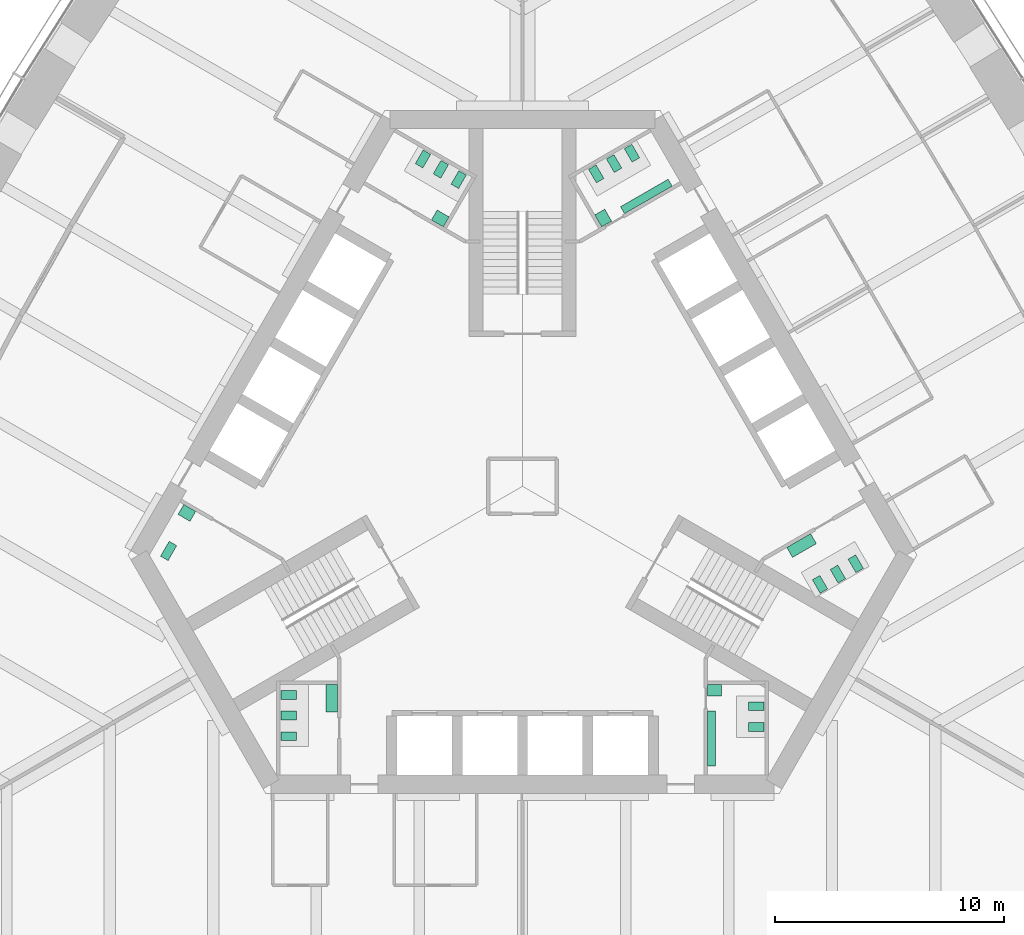
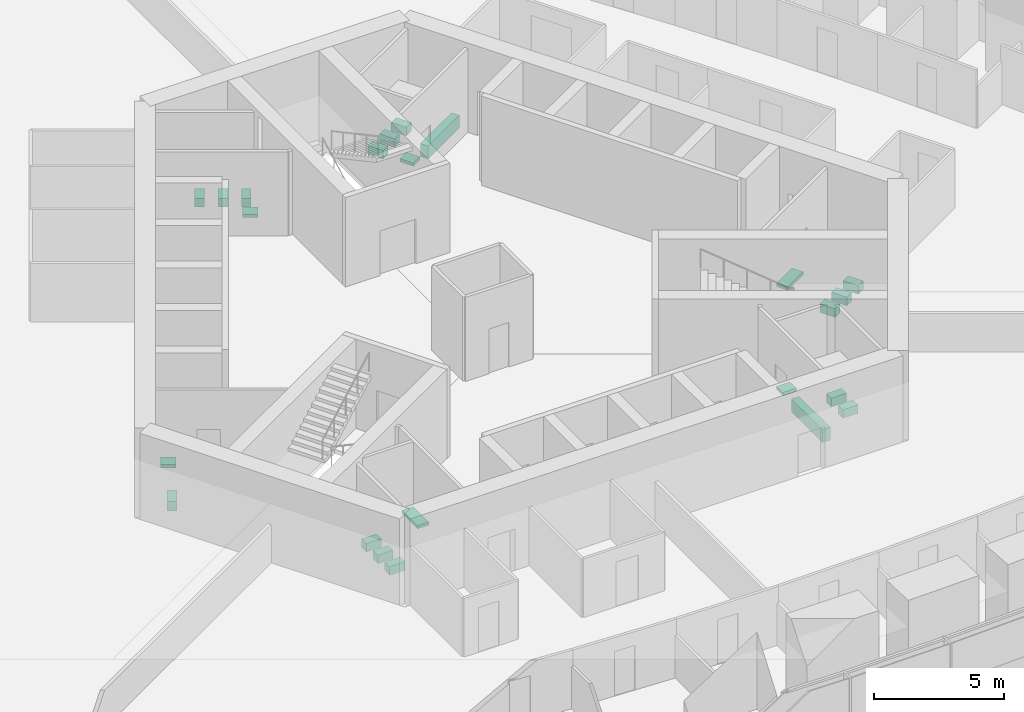
# One storey, part 17 of 18: 23 sanitary terminals.
"""IFC4 building model written with IfcOpenShell, lengths in metres."""

from ifc_helpers import new_model, si_unit, direction, frame, origin, place, context, subcontext, project, spatial, polyline, outline, extrude, material, type_object, element, save


model = new_model("IFC4")

# Units and contexts
model_context = context("Model", 3, precision=1e-05, world=origin(), true_north=direction((0.0, 1.0)))
body_context = subcontext(model_context, "Body", "Model", "MODEL_VIEW")
ifc_project = project(units=[si_unit("LENGTHUNIT", "METRE"), si_unit("AREAUNIT", "SQUARE_METRE"), si_unit("VOLUMEUNIT", "CUBIC_METRE"), si_unit("PLANEANGLEUNIT", "RADIAN"), si_unit("MASSUNIT", "GRAM", prefix="KILO")], contexts=[model_context])

# Site, building, storey
site_placement = place(None, origin())
site = spatial("IfcSite", under=ifc_project, at=site_placement, CompositionType="ELEMENT")
building_placement = place(site_placement, origin())
building = spatial("IfcBuilding", under=site, at=building_placement, Name="Trefoil Bronze Tower", CompositionType="ELEMENT")
storey_placement = place(building_placement, frame((0.0, 0.0, 87.89990234375)))
storey = spatial("IfcBuildingStorey", under=building, at=storey_placement, Name="L20", CompositionType="ELEMENT", Elevation=87.89990234375)

# Sanitary terminals
ifc_material_1 = material(Name="Vitreous china", Category="ceramic")
sanitary_terminal_type_1 = type_object("IfcSanitaryTerminalType", Name="Accessible WC pan", PredefinedType="TOILETPAN", material=ifc_material_1)
sanitary_terminal_1_placement = place(storey_placement, origin())
element("IfcSanitaryTerminal", 1, at=sanitary_terminal_1_placement, inside=storey, type_object=sanitary_terminal_type_1, Name="WC pan 1 Accessible WC L20", PredefinedType="TOILETPAN", context=body_context, shape_type="SweptSolid", body=[
    extrude(outline(polyline([(-15.085693359375, -2.589111328125), (-15.460693359375, -3.238525390625), (-15.789794921875, -3.048583984375), (-15.414794921875, -2.399169921875), (-15.085693359375, -2.589111328125)])), origin(), (0.0, 0.0, 1.0), 0.4501953125),
])
ifc_material_2 = material(Name="Vitreous china", Category="ceramic")
sanitary_terminal_type_2 = type_object("IfcSanitaryTerminalType", Name="Accessible basin", PredefinedType="WASHHANDBASIN", material=ifc_material_2)
sanitary_terminal_2_placement = place(storey_placement, frame((0.0, 0.0, 0.650146484375)))
element("IfcSanitaryTerminal", 2, at=sanitary_terminal_2_placement, inside=storey, type_object=sanitary_terminal_type_2, Name="Wash basin Accessible WC L20", PredefinedType="WASHHANDBASIN", context=body_context, shape_type="SweptSolid", body=[
    extrude(outline(polyline([(-14.256591796875, -1.09326171875), (-14.506591796875, -1.526123046875), (-15.026123046875, -1.22607421875), (-14.776123046875, -0.793212890625), (-14.256591796875, -1.09326171875)])), origin(), (0.0, 0.0, 1.0), 0.14990234375),
])
ifc_material_3 = material(Name="Vitreous china", Category="ceramic")
sanitary_terminal_type_3 = type_object("IfcSanitaryTerminalType", Name="Urinal range 4 urinals", PredefinedType="URINAL", material=ifc_material_3)
sanitary_terminal_3_placement = place(storey_placement, frame((0.0, 0.0, 0.400146484375)))
element("IfcSanitaryTerminal", 3, at=sanitary_terminal_3_placement, inside=storey, type_object=sanitary_terminal_type_3, Name="Urinal range WC (men) L20", PredefinedType="URINAL", context=body_context, shape_type="SweptSolid", body=[
    extrude(outline(polyline([(8.074951171875, -9.800048828125), (8.425048828125, -9.800048828125), (8.425048828125, -12.199951171875), (8.074951171875, -12.199951171875), (8.074951171875, -9.800048828125)])), origin(), (0.0, 0.0, 1.0), 0.599853515625),
])
sanitary_terminal_4_placement = place(storey_placement, frame((0.0, 0.0, 0.400146484375)))
element("IfcSanitaryTerminal", 4, at=sanitary_terminal_4_placement, inside=storey, type_object=sanitary_terminal_type_3, Name="Urinal range WC (men) L20", PredefinedType="URINAL", context=body_context, shape_type="SweptSolid", body=[
    extrude(outline(polyline([(4.449462890625, 11.89306640625), (4.274658203125, 12.1962890625), (6.35302734375, 13.396240234375), (6.528076171875, 13.09326171875), (4.449462890625, 11.89306640625)])), origin(), (0.0, 0.0, 1.0), 0.599853515625),
])
ifc_material_4 = material(Name="Solid surface vanity", Category="plastic")
sanitary_terminal_type_4 = type_object("IfcSanitaryTerminalType", Name="Vanity unit 1 basins", PredefinedType="WASHHANDBASIN", material=ifc_material_4)
sanitary_terminal_5_placement = place(storey_placement, frame((0.0, 0.0, 0.75)))
element("IfcSanitaryTerminal", 5, at=sanitary_terminal_5_placement, inside=storey, type_object=sanitary_terminal_type_4, Name="Vanity unit WC (men) L20", PredefinedType="WASHHANDBASIN", context=body_context, shape_type="SweptSolid", body=[
    extrude(outline(polyline([(8.074951171875, -8.64990234375), (8.675048828125, -8.64990234375), (8.675048828125, -9.14990234375), (8.074951171875, -9.14990234375), (8.074951171875, -8.64990234375)])), origin(), (0.0, 0.0, 1.0), 0.150146484375),
])
sanitary_terminal_6_placement = place(storey_placement, frame((0.0, 0.0, 0.75)))
element("IfcSanitaryTerminal", 6, at=sanitary_terminal_6_placement, inside=storey, type_object=sanitary_terminal_type_4, Name="Vanity unit WC (men) L20", PredefinedType="WASHHANDBASIN", context=body_context, shape_type="SweptSolid", body=[
    extrude(outline(polyline([(3.45361328125, 11.318115234375), (3.153564453125, 11.837890625), (3.586669921875, 12.087890625), (3.88671875, 11.568115234375), (3.45361328125, 11.318115234375)])), origin(), (0.0, 0.0, 1.0), 0.150146484375),
])
sanitary_terminal_7_placement = place(storey_placement, frame((0.0, 0.0, 0.75)))
element("IfcSanitaryTerminal", 7, at=sanitary_terminal_7_placement, inside=storey, type_object=sanitary_terminal_type_4, Name="Vanity unit WC (women) L20", PredefinedType="WASHHANDBASIN", context=body_context, shape_type="SweptSolid", body=[
    extrude(outline(polyline([(-3.45361328125, 11.318115234375), (-3.20361328125, 11.751220703125), (-3.72314453125, 12.05126953125), (-3.97314453125, 11.6181640625), (-3.45361328125, 11.318115234375)])), origin(), (0.0, 0.0, 1.0), 0.150146484375),
])
ifc_material_5 = material(Name="Solid surface vanity", Category="plastic")
sanitary_terminal_type_5 = type_object("IfcSanitaryTerminalType", Name="Vanity unit 2 basins", PredefinedType="WASHHANDBASIN", material=ifc_material_5)
sanitary_terminal_8_placement = place(storey_placement, frame((0.0, 0.0, 0.75)))
element("IfcSanitaryTerminal", 8, at=sanitary_terminal_8_placement, inside=storey, type_object=sanitary_terminal_type_5, Name="Vanity unit WC (women) L20", PredefinedType="WASHHANDBASIN", context=body_context, shape_type="SweptSolid", body=[
    extrude(outline(polyline([(11.528564453125, -2.668212890625), (11.778564453125, -3.10107421875), (12.81787109375, -2.501220703125), (12.56787109375, -2.068115234375), (11.528564453125, -2.668212890625)])), origin(), (0.0, 0.0, 1.0), 0.150146484375),
])
sanitary_terminal_9_placement = place(storey_placement, frame((0.0, 0.0, 0.75)))
element("IfcSanitaryTerminal", 9, at=sanitary_terminal_9_placement, inside=storey, type_object=sanitary_terminal_type_5, Name="Vanity unit WC (women) L20", PredefinedType="WASHHANDBASIN", context=body_context, shape_type="SweptSolid", body=[
    extrude(outline(polyline([(-8.074951171875, -8.64990234375), (-8.574951171875, -8.64990234375), (-8.574951171875, -9.85009765625), (-8.074951171875, -9.85009765625), (-8.074951171875, -8.64990234375)])), origin(), (0.0, 0.0, 1.0), 0.150146484375),
])
ifc_material_6 = material(Name="Vitreous china", Category="ceramic")
sanitary_terminal_type_6 = type_object("IfcSanitaryTerminalType", Name="WC pan", PredefinedType="TOILETPAN", material=ifc_material_6)
sanitary_terminal_10_placement = place(storey_placement, origin())
element("IfcSanitaryTerminal", 10, at=sanitary_terminal_10_placement, inside=storey, type_object=sanitary_terminal_type_6, Name="WC pan 1 WC (men) L20", PredefinedType="TOILETPAN", context=body_context, shape_type="SweptSolid", body=[
    extrude(outline(polyline([(9.85498046875, -9.409912109375), (10.534912109375, -9.409912109375), (10.534912109375, -9.7900390625), (9.85498046875, -9.7900390625), (9.85498046875, -9.409912109375)])), origin(), (0.0, 0.0, 1.0), 0.400146484375),
])
sanitary_terminal_11_placement = place(storey_placement, origin())
element("IfcSanitaryTerminal", 11, at=sanitary_terminal_11_placement, inside=storey, type_object=sanitary_terminal_type_6, Name="WC pan 2 WC (men) L20", PredefinedType="TOILETPAN", context=body_context, shape_type="SweptSolid", body=[
    extrude(outline(polyline([(9.85498046875, -10.31005859375), (10.534912109375, -10.31005859375), (10.534912109375, -10.68994140625), (9.85498046875, -10.68994140625), (9.85498046875, -10.31005859375)])), origin(), (0.0, 0.0, 1.0), 0.400146484375),
])
sanitary_terminal_12_placement = place(storey_placement, origin())
element("IfcSanitaryTerminal", 12, at=sanitary_terminal_12_placement, inside=storey, type_object=sanitary_terminal_type_6, Name="WC pan 1 WC (women) L20", PredefinedType="TOILETPAN", context=body_context, shape_type="SweptSolid", body=[
    extrude(outline(polyline([(12.643798828125, -4.07958984375), (12.98388671875, -4.66845703125), (13.31298828125, -4.478515625), (12.972900390625, -3.8896484375), (12.643798828125, -4.07958984375)])), origin(), (0.0, 0.0, 1.0), 0.400146484375),
])
sanitary_terminal_13_placement = place(storey_placement, origin())
element("IfcSanitaryTerminal", 13, at=sanitary_terminal_13_placement, inside=storey, type_object=sanitary_terminal_type_6, Name="WC pan 2 WC (women) L20", PredefinedType="TOILETPAN", context=body_context, shape_type="SweptSolid", body=[
    extrude(outline(polyline([(13.423095703125, -3.629638671875), (13.76318359375, -4.218505859375), (14.09228515625, -4.028564453125), (13.752197265625, -3.439697265625), (13.423095703125, -3.629638671875)])), origin(), (0.0, 0.0, 1.0), 0.400146484375),
])
sanitary_terminal_14_placement = place(storey_placement, origin())
element("IfcSanitaryTerminal", 14, at=sanitary_terminal_14_placement, inside=storey, type_object=sanitary_terminal_type_6, Name="WC pan 3 WC (women) L20", PredefinedType="TOILETPAN", context=body_context, shape_type="SweptSolid", body=[
    extrude(outline(polyline([(14.20263671875, -3.1796875), (14.542724609375, -3.7685546875), (14.871826171875, -3.57861328125), (14.53173828125, -2.98974609375), (14.20263671875, -3.1796875)])), origin(), (0.0, 0.0, 1.0), 0.400146484375),
])
sanitary_terminal_15_placement = place(storey_placement, origin())
element("IfcSanitaryTerminal", 15, at=sanitary_terminal_15_placement, inside=storey, type_object=sanitary_terminal_type_6, Name="WC pan 1 WC (men) L20", PredefinedType="TOILETPAN", context=body_context, shape_type="SweptSolid", body=[
    extrude(outline(polyline([(3.2216796875, 13.23974609375), (2.8818359375, 13.82861328125), (3.2109375, 14.0185546875), (3.55078125, 13.4296875), (3.2216796875, 13.23974609375)])), origin(), (0.0, 0.0, 1.0), 0.400146484375),
])
sanitary_terminal_16_placement = place(storey_placement, origin())
element("IfcSanitaryTerminal", 16, at=sanitary_terminal_16_placement, inside=storey, type_object=sanitary_terminal_type_6, Name="WC pan 2 WC (men) L20", PredefinedType="TOILETPAN", context=body_context, shape_type="SweptSolid", body=[
    extrude(outline(polyline([(4.001220703125, 13.689697265625), (3.6611328125, 14.278564453125), (3.990234375, 14.468505859375), (4.330322265625, 13.879638671875), (4.001220703125, 13.689697265625)])), origin(), (0.0, 0.0, 1.0), 0.400146484375),
])
sanitary_terminal_17_placement = place(storey_placement, origin())
element("IfcSanitaryTerminal", 17, at=sanitary_terminal_17_placement, inside=storey, type_object=sanitary_terminal_type_6, Name="WC pan 3 WC (men) L20", PredefinedType="TOILETPAN", context=body_context, shape_type="SweptSolid", body=[
    extrude(outline(polyline([(4.78076171875, 14.1396484375), (4.440673828125, 14.728515625), (4.769775390625, 14.91845703125), (5.109619140625, 14.32958984375), (4.78076171875, 14.1396484375)])), origin(), (0.0, 0.0, 1.0), 0.400146484375),
])
sanitary_terminal_18_placement = place(storey_placement, origin())
element("IfcSanitaryTerminal", 18, at=sanitary_terminal_18_placement, inside=storey, type_object=sanitary_terminal_type_6, Name="WC pan 1 WC (women) L20", PredefinedType="TOILETPAN", context=body_context, shape_type="SweptSolid", body=[
    extrude(outline(polyline([(-2.788818359375, 12.98974609375), (-2.44873046875, 13.57861328125), (-2.77783203125, 13.7685546875), (-3.117919921875, 13.1796875), (-2.788818359375, 12.98974609375)])), origin(), (0.0, 0.0, 1.0), 0.400146484375),
])
sanitary_terminal_19_placement = place(storey_placement, origin())
element("IfcSanitaryTerminal", 19, at=sanitary_terminal_19_placement, inside=storey, type_object=sanitary_terminal_type_6, Name="WC pan 2 WC (women) L20", PredefinedType="TOILETPAN", context=body_context, shape_type="SweptSolid", body=[
    extrude(outline(polyline([(-3.568115234375, 13.439697265625), (-3.228271484375, 14.028564453125), (-3.557373046875, 14.218505859375), (-3.897216796875, 13.629638671875), (-3.568115234375, 13.439697265625)])), origin(), (0.0, 0.0, 1.0), 0.400146484375),
])
sanitary_terminal_20_placement = place(storey_placement, origin())
element("IfcSanitaryTerminal", 20, at=sanitary_terminal_20_placement, inside=storey, type_object=sanitary_terminal_type_6, Name="WC pan 3 WC (women) L20", PredefinedType="TOILETPAN", context=body_context, shape_type="SweptSolid", body=[
    extrude(outline(polyline([(-4.34765625, 13.8896484375), (-4.007568359375, 14.478515625), (-4.336669921875, 14.66845703125), (-4.6767578125, 14.07958984375), (-4.34765625, 13.8896484375)])), origin(), (0.0, 0.0, 1.0), 0.400146484375),
])
sanitary_terminal_21_placement = place(storey_placement, origin())
element("IfcSanitaryTerminal", 21, at=sanitary_terminal_21_placement, inside=storey, type_object=sanitary_terminal_type_6, Name="WC pan 1 WC (women) L20", PredefinedType="TOILETPAN", context=body_context, shape_type="SweptSolid", body=[
    extrude(outline(polyline([(-9.85498046875, -8.909912109375), (-10.534912109375, -8.909912109375), (-10.534912109375, -9.2900390625), (-9.85498046875, -9.2900390625), (-9.85498046875, -8.909912109375)])), origin(), (0.0, 0.0, 1.0), 0.400146484375),
])
sanitary_terminal_22_placement = place(storey_placement, origin())
element("IfcSanitaryTerminal", 22, at=sanitary_terminal_22_placement, inside=storey, type_object=sanitary_terminal_type_6, Name="WC pan 2 WC (women) L20", PredefinedType="TOILETPAN", context=body_context, shape_type="SweptSolid", body=[
    extrude(outline(polyline([(-9.85498046875, -9.81005859375), (-10.534912109375, -9.81005859375), (-10.534912109375, -10.18994140625), (-9.85498046875, -10.18994140625), (-9.85498046875, -9.81005859375)])), origin(), (0.0, 0.0, 1.0), 0.400146484375),
])
sanitary_terminal_23_placement = place(storey_placement, origin())
element("IfcSanitaryTerminal", 23, at=sanitary_terminal_23_placement, inside=storey, type_object=sanitary_terminal_type_6, Name="WC pan 3 WC (women) L20", PredefinedType="TOILETPAN", context=body_context, shape_type="SweptSolid", body=[
    extrude(outline(polyline([(-9.85498046875, -10.7099609375), (-10.534912109375, -10.7099609375), (-10.534912109375, -11.090087890625), (-9.85498046875, -11.090087890625), (-9.85498046875, -10.7099609375)])), origin(), (0.0, 0.0, 1.0), 0.400146484375),
])

save(model, "model.ifc")
